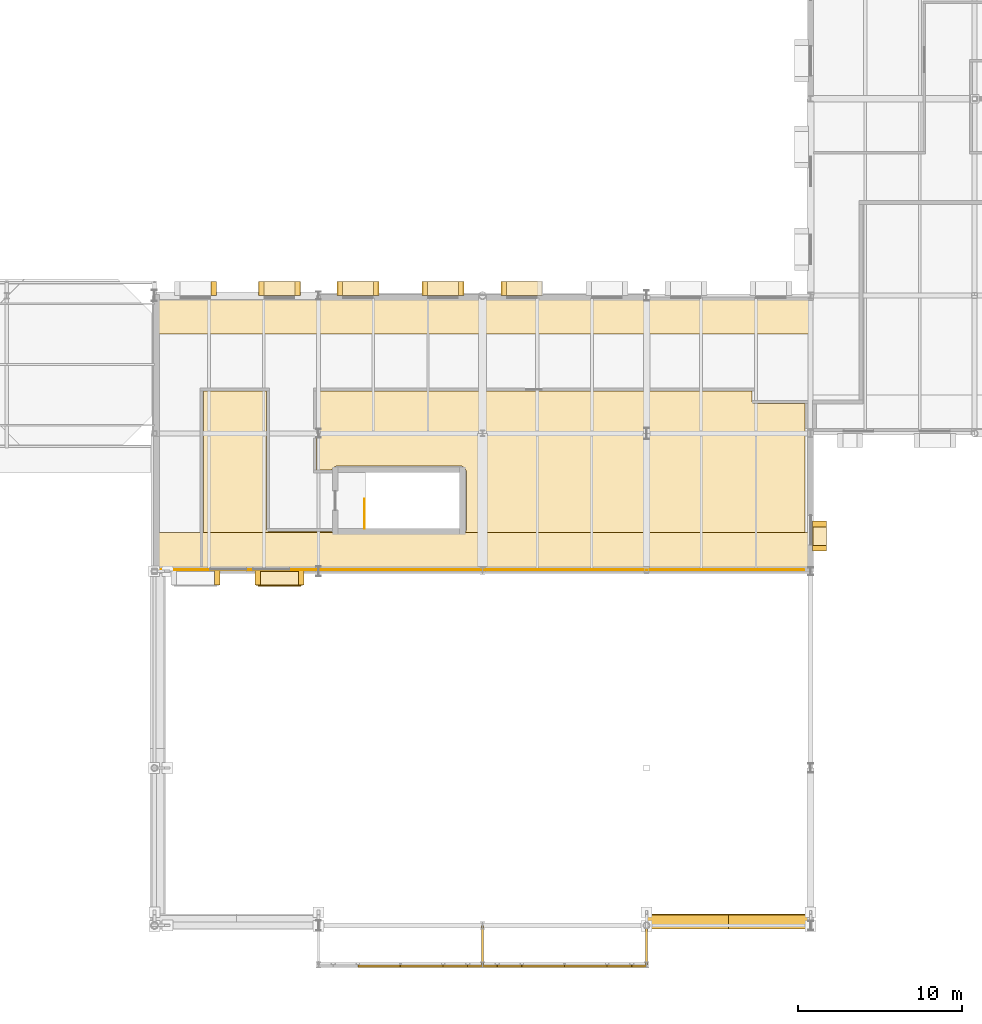
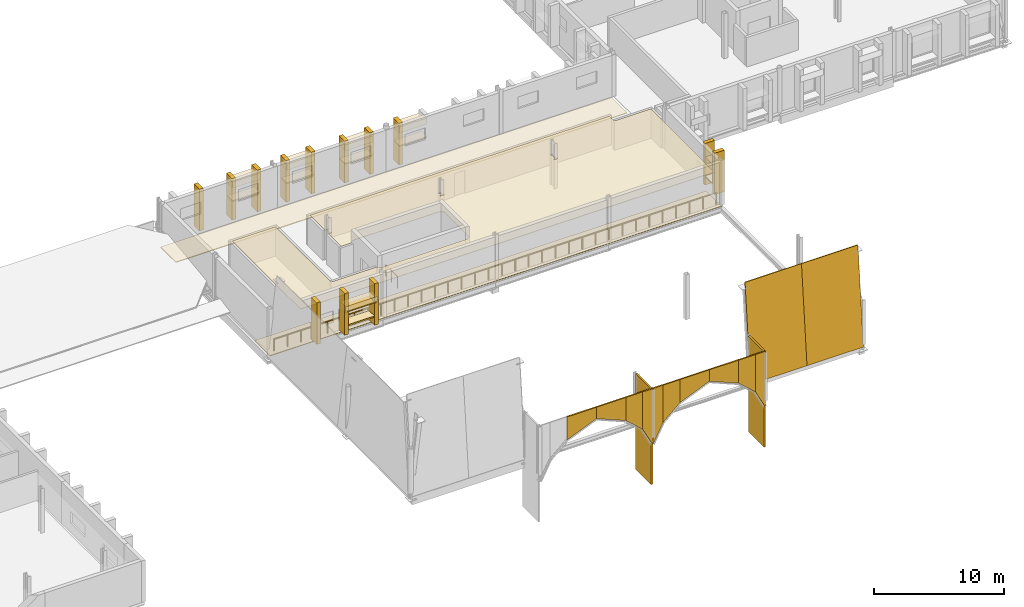
# One storey, part 89 of 90: 42 coverings, 3 railings, 1 shading device.
"""IFC4 building model written with IfcOpenShell, lengths in metres."""

from ifc_helpers import new_model, si_unit, direction, frame, origin, origin_2d, place, context, subcontext, project, spatial, polyline, rectangle, circle, outline, extrude, material, layer, layer_set, type_object, element, save


model = new_model("IFC4")

# Units and contexts
model_context = context("Model", 3, precision=1e-05, world=origin(), true_north=direction((0.0, 1.0)))
body_context = subcontext(model_context, "Body", "Model", "MODEL_VIEW")
ifc_project = project(units=[si_unit("LENGTHUNIT", "METRE"), si_unit("AREAUNIT", "SQUARE_METRE"), si_unit("VOLUMEUNIT", "CUBIC_METRE"), si_unit("PLANEANGLEUNIT", "RADIAN"), si_unit("MASSUNIT", "GRAM", prefix="KILO")], contexts=[model_context])

# Site, building, storey
site_placement = place(None, origin())
site = spatial("IfcSite", under=ifc_project, at=site_placement, CompositionType="ELEMENT")
building_placement = place(site_placement, origin())
building = spatial("IfcBuilding", under=site, at=building_placement, Name="Zereglee Splitstone Museum", CompositionType="ELEMENT")
storey_placement = place(building_placement, frame((0.0, 0.0, 4.800048828125)))
storey = spatial("IfcBuildingStorey", under=building, at=storey_placement, Name="L01", CompositionType="ELEMENT", Elevation=4.800048828125)

# Coverings
ifc_material_1 = material(Name="Perforated acoustic gypsum board ceiling", Category="masonry")
ifc_layer_1 = layer(ifc_material_1, 0.044921875)
ifc_layer_set_1 = layer_set([ifc_layer_1], Name="Perforated acoustic gypsum board ceiling")
covering_type_1 = type_object("IfcCoveringType", Name="CLG-02", PredefinedType="CEILING", material=ifc_layer_set_1)
covering_1_placement = place(storey_placement, frame((0.0, 0.0, 2.71484375)))
element("IfcCovering", 1, at=covering_1_placement, inside=storey, type_object=covering_type_1, Name="Acoustic Ceiling L01-032", PredefinedType="CEILING", context=body_context, shape_type="SweptSolid", body=[
    extrude(outline(polyline([(265.8798828125, 29.717041015625), (266.157958984375, 29.717041015625), (266.157958984375, 29.761962890625), (266.015380859375, 29.761962890625), (266.015380859375, 30.238037109375), (266.157958984375, 30.238037109375), (266.157958984375, 30.282958984375), (265.8798828125, 30.282958984375), (265.8798828125, 32.570068359375), (292.419921875, 32.570068359375), (292.419921875, 32.0), (292.419921875, 31.9990234375), (292.4208984375, 31.9833984375), (292.4208984375, 31.9814453125), (292.42333984375, 31.9658203125), (292.423583984375, 31.9638671875), (292.427490234375, 31.94873046875), (292.427978515625, 31.94677734375), (292.433349609375, 31.931884765625), (292.43408203125, 31.93017578125), (292.44091796875, 31.916015625), (292.441650390625, 31.914306640625), (292.44970703125, 31.90087890625), (292.450927734375, 31.899169921875), (292.460205078125, 31.88671875), (292.46142578125, 31.885009765625), (292.471923828125, 31.873291015625), (292.473388671875, 31.8720703125), (292.485107421875, 31.861572265625), (292.486572265625, 31.8603515625), (292.499267578125, 31.850830078125), (292.500732421875, 31.849853515625), (292.514404296875, 31.841796875), (292.51611328125, 31.8408203125), (292.5302734375, 31.833984375), (292.531982421875, 31.833251953125), (292.546875, 31.828125), (292.548583984375, 31.827392578125), (292.56396484375, 31.82373046875), (292.56591796875, 31.8232421875), (292.581298828125, 31.821044921875), (292.583251953125, 31.82080078125), (292.59912109375, 31.820068359375), (292.60009765625, 31.820068359375), (295.659912109375, 31.820068359375), (295.659912109375, 22.06005859375), (258.97998046875, 22.06005859375), (258.97998046875, 32.570068359375), (262.820068359375, 32.570068359375), (262.820068359375, 24.199951171875), (262.820068359375, 24.198974609375), (262.82080078125, 24.183349609375), (262.821044921875, 24.181396484375), (262.8232421875, 24.166015625), (262.82373046875, 24.163818359375), (262.827392578125, 24.148681640625), (262.828125, 24.146728515625), (262.833251953125, 24.132080078125), (262.833984375, 24.130126953125), (262.8408203125, 24.115966796875), (262.841796875, 24.1142578125), (262.849853515625, 24.100830078125), (262.850830078125, 24.09912109375), (262.8603515625, 24.086669921875), (262.861572265625, 24.085205078125), (262.8720703125, 24.073486328125), (262.873291015625, 24.072021484375), (262.885009765625, 24.0615234375), (262.88671875, 24.060302734375), (262.899169921875, 24.05078125), (262.90087890625, 24.0498046875), (262.914306640625, 24.041748046875), (262.916015625, 24.040771484375), (262.93017578125, 24.0341796875), (262.931884765625, 24.033203125), (262.94677734375, 24.028076171875), (262.94873046875, 24.027587890625), (262.9638671875, 24.023681640625), (262.9658203125, 24.023193359375), (262.9814453125, 24.02099609375), (262.9833984375, 24.020751953125), (262.9990234375, 24.02001953125), (263.0, 24.02001953125), (266.821044921875, 24.02001953125), (266.82958984375, 24.001953125), (266.850830078125, 23.966796875), (266.875244140625, 23.93359375), (266.903076171875, 23.903076171875), (266.93359375, 23.875244140625), (266.966796875, 23.850830078125), (267.001953125, 23.82958984375), (267.039306640625, 23.81201171875), (267.078125, 23.798095703125), (267.1181640625, 23.7880859375), (267.15869140625, 23.781982421875), (267.199951171875, 23.780029296875), (274.60009765625, 23.780029296875), (274.64111328125, 23.781982421875), (274.681884765625, 23.7880859375), (274.721923828125, 23.798095703125), (274.7607421875, 23.81201171875), (274.798095703125, 23.82958984375), (274.833251953125, 23.850830078125), (274.866455078125, 23.875244140625), (274.89697265625, 23.903076171875), (274.9248046875, 23.93359375), (274.94921875, 23.966796875), (274.970458984375, 24.001953125), (274.988037109375, 24.039306640625), (275.001953125, 24.078125), (275.011962890625, 24.1181640625), (275.01806640625, 24.15869140625), (275.02001953125, 24.199951171875), (275.02001953125, 27.60009765625), (275.01806640625, 27.64111328125), (275.011962890625, 27.681884765625), (275.001953125, 27.721923828125), (274.988037109375, 27.7607421875), (274.970458984375, 27.798095703125), (274.94921875, 27.833251953125), (274.9248046875, 27.866455078125), (274.89697265625, 27.89697265625), (274.866455078125, 27.9248046875), (274.833251953125, 27.94921875), (274.798095703125, 27.970458984375), (274.7607421875, 27.988037109375), (274.721923828125, 28.001953125), (274.681884765625, 28.011962890625), (274.64111328125, 28.01806640625), (274.60009765625, 28.02001953125), (267.199951171875, 28.02001953125), (267.15869140625, 28.01806640625), (267.1181640625, 28.011962890625), (267.078125, 28.001953125), (267.039306640625, 27.988037109375), (267.001953125, 27.970458984375), (266.966796875, 27.94921875), (266.93359375, 27.9248046875), (266.903076171875, 27.89697265625), (266.875244140625, 27.866455078125), (266.850830078125, 27.833251953125), (266.82958984375, 27.798095703125), (266.821044921875, 27.780029296875), (265.8798828125, 27.780029296875), (265.8798828125, 29.717041015625)]), holes=[polyline([(286.157958984375, 30.35791015625), (285.842041015625, 30.35791015625), (285.842041015625, 30.31005859375), (285.9833984375, 30.31005859375), (285.9833984375, 29.68994140625), (285.842041015625, 29.68994140625), (285.842041015625, 29.64208984375), (286.157958984375, 29.64208984375), (286.157958984375, 29.68994140625), (286.0166015625, 29.68994140625), (286.0166015625, 30.31005859375), (286.157958984375, 30.31005859375), (286.157958984375, 30.35791015625)]), polyline([(276.157958984375, 30.18798828125), (275.842041015625, 30.18798828125), (275.842041015625, 30.1494140625), (275.985595703125, 30.1494140625), (275.985595703125, 29.8505859375), (275.842041015625, 29.8505859375), (275.842041015625, 29.81201171875), (276.157958984375, 29.81201171875), (276.157958984375, 29.8505859375), (276.014404296875, 29.8505859375), (276.014404296875, 30.1494140625), (276.157958984375, 30.1494140625), (276.157958984375, 30.18798828125)])]), origin(), (0.0, 0.0, 1.0), 0.045166015625),
])
ifc_material_2 = material(Name="Honed Gobi pale limestone stringcourse and soffit cladding", Category="masonry")
ifc_layer_2 = layer(ifc_material_2, 0.070068359375)
ifc_layer_set_2 = layer_set([ifc_layer_2], Name="Honed Gobi pale limestone stringcourse and soffit cladding")
covering_type_2 = type_object("IfcCoveringType", Name="CL-02", PredefinedType="CLADDING", material=ifc_layer_set_2)
covering_2_placement = place(storey_placement, frame((277.2900390625, 38.824951171875, 0.0), z_axis=(0.0, 0.0, 1.0), x_axis=(-1.0, 0.0, 0.0)))
element("IfcCovering", 2, at=covering_2_placement, inside=storey, type_object=covering_type_2, Name="Mughal Window Reveal Stone Pilaster L01-0045R", PredefinedType="CLADDING", context=body_context, shape_type="SweptSolid", body=[
    extrude(rectangle(XDim=0.340087890625, YDim=0.860107421875, at=origin_2d()), origin(), (0.0, 0.0, 1.0), 3.89990234375),
])
covering_3_placement = place(storey_placement, frame((278.409912109375, 38.8349609375, 1.659912109375), z_axis=(0.0, 0.0, 1.0), x_axis=(-1.0, 0.0, 0.0)))
element("IfcCovering", 3, at=covering_3_placement, inside=storey, type_object=covering_type_2, Name="Carved Limestone Window Sill L01-0045", PredefinedType="CLADDING", context=body_context, shape_type="SweptSolid", body=[
    extrude(rectangle(XDim=2.43994140625, YDim=0.840087890625, at=origin_2d()), origin(), (0.0, 0.0, 1.0), 0.1201171875),
])
for number, where, z_axis, x_axis, name in (
    (4, (274.7099609375, 38.824951171875, 0.0), (0.0, 0.0, 1.0), (-1.0, 0.0, 0.0), "Mughal Window Reveal Stone Pilaster L01-0046L"),
    (5, (272.469970703125, 38.824951171875, 0.0), (0.0, 0.0, 1.0), (-1.0, 0.0, 0.0), "Mughal Window Reveal Stone Pilaster L01-0046R"),
):
    element("IfcCovering", number, at=place(storey_placement, frame(where, z_axis=z_axis, x_axis=x_axis)), inside=storey, type_object=covering_type_2, Name=name, PredefinedType="CLADDING", context=body_context, shape_type="SweptSolid", body=[
        extrude(rectangle(XDim=0.340087890625, YDim=0.860107421875, at=origin_2d()), origin(), (0.0, 0.0, 1.0), 3.89990234375),
    ])
covering_4_placement = place(storey_placement, frame((273.590087890625, 38.8349609375, 1.659912109375), z_axis=(0.0, 0.0, 1.0), x_axis=(-1.0, 0.0, 0.0)))
element("IfcCovering", 6, at=covering_4_placement, inside=storey, type_object=covering_type_2, Name="Carved Limestone Window Sill L01-0046", PredefinedType="CLADDING", context=body_context, shape_type="SweptSolid", body=[
    extrude(rectangle(XDim=2.43994140625, YDim=0.840087890625, at=origin_2d()), origin(), (0.0, 0.0, 1.0), 0.1201171875),
])
for number, where, z_axis, x_axis, name in (
    (7, (269.530029296875, 38.824951171875, 0.0), (0.0, 0.0, 1.0), (-1.0, 0.0, 0.0), "Mughal Window Reveal Stone Pilaster L01-0047L"),
    (8, (267.2900390625, 38.824951171875, 0.0), (0.0, 0.0, 1.0), (-1.0, 0.0, 0.0), "Mughal Window Reveal Stone Pilaster L01-0047R"),
):
    element("IfcCovering", number, at=place(storey_placement, frame(where, z_axis=z_axis, x_axis=x_axis)), inside=storey, type_object=covering_type_2, Name=name, PredefinedType="CLADDING", context=body_context, shape_type="SweptSolid", body=[
        extrude(rectangle(XDim=0.340087890625, YDim=0.860107421875, at=origin_2d()), origin(), (0.0, 0.0, 1.0), 3.89990234375),
    ])
covering_5_placement = place(storey_placement, frame((268.409912109375, 38.8349609375, 1.659912109375), z_axis=(0.0, 0.0, 1.0), x_axis=(-1.0, 0.0, 0.0)))
element("IfcCovering", 9, at=covering_5_placement, inside=storey, type_object=covering_type_2, Name="Carved Limestone Window Sill L01-0047", PredefinedType="CLADDING", context=body_context, shape_type="SweptSolid", body=[
    extrude(rectangle(XDim=2.43994140625, YDim=0.840087890625, at=origin_2d()), origin(), (0.0, 0.0, 1.0), 0.1201171875),
])
for number, where, z_axis, x_axis, name in (
    (10, (264.739990234375, 38.824951171875, 0.0), (0.0, 0.0, 1.0), (-1.0, 0.0, 0.0), "Mughal Window Reveal Stone Pilaster L01-0048L"),
    (11, (262.5, 38.824951171875, 0.0), (0.0, 0.0, 1.0), (-1.0, 0.0, 0.0), "Mughal Window Reveal Stone Pilaster L01-0048R"),
):
    element("IfcCovering", number, at=place(storey_placement, frame(where, z_axis=z_axis, x_axis=x_axis)), inside=storey, type_object=covering_type_2, Name=name, PredefinedType="CLADDING", context=body_context, shape_type="SweptSolid", body=[
        extrude(rectangle(XDim=0.340087890625, YDim=0.860107421875, at=origin_2d()), origin(), (0.0, 0.0, 1.0), 3.89990234375),
    ])
covering_6_placement = place(storey_placement, frame((263.6201171875, 38.8349609375, 1.659912109375), z_axis=(0.0, 0.0, 1.0), x_axis=(-1.0, 0.0, 0.0)))
element("IfcCovering", 12, at=covering_6_placement, inside=storey, type_object=covering_type_2, Name="Carved Limestone Window Sill L01-0048", PredefinedType="CLADDING", context=body_context, shape_type="SweptSolid", body=[
    extrude(rectangle(XDim=2.43994140625, YDim=0.840087890625, at=origin_2d()), origin(), (0.0, 0.0, 1.0), 0.1201171875),
])
for number, where, z_axis, x_axis, name in (
    (13, (259.6201171875, 38.824951171875, 0.0), (0.0, 0.0, 1.0), (-1.0, 0.0, 0.0), "Mughal Window Reveal Stone Pilaster L01-0049L"),
    (14, (259.820068359375, 21.175048828125, 0.0), (0.0, 0.0, 1.0), (1.0, 0.0, 0.0), "Mughal Window Reveal Stone Pilaster L01-0050R"),
    (15, (262.300048828125, 21.175048828125, 0.0), (0.0, 0.0, 1.0), (1.0, 0.0, 0.0), "Mughal Window Reveal Stone Pilaster L01-0051L"),
    (16, (264.93994140625, 21.175048828125, 0.0), (0.0, 0.0, 1.0), (1.0, 0.0, 0.0), "Mughal Window Reveal Stone Pilaster L01-0051R"),
):
    element("IfcCovering", number, at=place(storey_placement, frame(where, z_axis=z_axis, x_axis=x_axis)), inside=storey, type_object=covering_type_2, Name=name, PredefinedType="CLADDING", context=body_context, shape_type="SweptSolid", body=[
        extrude(rectangle(XDim=0.340087890625, YDim=0.860107421875, at=origin_2d()), origin(), (0.0, 0.0, 1.0), 3.89990234375),
    ])
covering_7_placement = place(storey_placement, frame((263.6201171875, 21.1650390625, 0.760009765625), z_axis=(0.0, 0.0, 1.0), x_axis=(1.0, 0.0, 0.0)))
element("IfcCovering", 17, at=covering_7_placement, inside=storey, type_object=covering_type_2, Name="Carved Limestone Window Sill L01-0051", PredefinedType="CLADDING", context=body_context, shape_type="SweptSolid", body=[
    extrude(rectangle(XDim=2.840087890625, YDim=0.840087890625, at=origin_2d()), origin(), (0.0, 0.0, 1.0), 0.1201171875),
])
for number, where, z_axis, x_axis, name in (
    (18, (296.544921875, 22.985107421875, 0.0), (0.0, 0.0, 1.0), (0.0, 1.0, 0.0), "Mughal Window Reveal Stone Pilaster L01-0052L"),
    (19, (296.544921875, 24.47509765625, 0.0), (0.0, 0.0, 1.0), (0.0, 1.0, 0.0), "Mughal Window Reveal Stone Pilaster L01-0052R"),
):
    element("IfcCovering", number, at=place(storey_placement, frame(where, z_axis=z_axis, x_axis=x_axis)), inside=storey, type_object=covering_type_2, Name=name, PredefinedType="CLADDING", context=body_context, shape_type="SweptSolid", body=[
        extrude(rectangle(XDim=0.340087890625, YDim=0.860107421875, at=origin_2d()), origin(), (0.0, 0.0, 1.0), 3.89990234375),
    ])
covering_8_placement = place(storey_placement, frame((296.554931640625, 23.72998046875, 0.760009765625), z_axis=(0.0, 0.0, 1.0), x_axis=(0.0, 1.0, 0.0)))
element("IfcCovering", 20, at=covering_8_placement, inside=storey, type_object=covering_type_2, Name="Carved Limestone Window Sill L01-0052", PredefinedType="CLADDING", context=body_context, shape_type="SweptSolid", body=[
    extrude(rectangle(XDim=1.68994140625, YDim=0.840087890625, at=origin_2d()), origin(), (0.0, 0.0, 1.0), 0.1201171875),
])
covering_9_placement = place(storey_placement, frame((0.0, 0.0, -0.35009765625)))
element("IfcCovering", 21, at=covering_9_placement, inside=storey, type_object=covering_type_2, Name="Hovering Stone Plinth Soffit Apron 011", PredefinedType="CLADDING", context=body_context, shape_type="SweptSolid", body=[
    extrude(outline(polyline([(256.0, 21.60009765625), (296.0, 21.60009765625), (296.0, 23.949951171875), (256.0, 23.949951171875), (256.0, 21.60009765625)])), origin(), (0.0, 0.0, 1.0), 0.070068359375),
])
covering_10_placement = place(storey_placement, frame((0.0, 0.0, -0.35009765625)))
element("IfcCovering", 22, at=covering_10_placement, inside=storey, type_object=covering_type_2, Name="Hovering Stone Plinth Soffit Apron 012", PredefinedType="CLADDING", context=body_context, shape_type="SweptSolid", body=[
    extrude(outline(polyline([(256.0, 36.050048828125), (296.0, 36.050048828125), (296.0, 38.39990234375), (256.0, 38.39990234375), (256.0, 36.050048828125)])), origin(), (0.0, 0.0, 1.0), 0.070068359375),
])
covering_11_placement = place(storey_placement, frame((0.0, 0.0, -4.800048828125)))
element("IfcCovering", 23, at=covering_11_placement, inside=storey, type_object=covering_type_2, Name="Mughal Iwan Stone Cheek Return PSQ-SV5-1", PredefinedType="CLADDING", context=body_context, shape_type="SweptSolid", body=[
    extrude(outline(polyline([(275.929931640625, -2.39990234375), (276.070068359375, -2.39990234375), (276.070068359375, 0.0), (275.929931640625, 0.0), (275.929931640625, -2.39990234375)])), origin(), (0.0, 0.0, 1.0), 8.97998046875),
])
covering_12_placement = place(storey_placement, frame((0.0, 0.0, -4.800048828125)))
element("IfcCovering", 24, at=covering_12_placement, inside=storey, type_object=covering_type_2, Name="Mughal Iwan Stone Cheek Return PSQ-SV5-2", PredefinedType="CLADDING", context=body_context, shape_type="SweptSolid", body=[
    extrude(outline(polyline([(285.929931640625, -2.39990234375), (286.070068359375, -2.39990234375), (286.070068359375, 0.0), (285.929931640625, 0.0), (285.929931640625, -2.39990234375)])), origin(), (0.0, 0.0, 1.0), 8.97998046875),
])
ifc_material_3 = material(Name="Honed Khoroo red sandstone ventilated rainscreen", Category="masonry")
ifc_layer_3 = layer(ifc_material_3, 0.080078125)
ifc_layer_set_3 = layer_set([ifc_layer_3], Name="Honed Khoroo red sandstone ventilated rainscreen")
covering_type_3 = type_object("IfcCoveringType", Name="CL-01", PredefinedType="CLADDING", material=ifc_layer_set_3)
for number, where, z_axis, x_axis, name in (
    (25, (278.409912109375, 38.8349609375, 2.9599609375), (0.0, 0.0, 1.0), (-1.0, 0.0, 0.0), "Pointed-Arch Mughal Window Hood L01-0045"),
    (26, (273.590087890625, 38.8349609375, 2.9599609375), (0.0, 0.0, 1.0), (-1.0, 0.0, 0.0), "Pointed-Arch Mughal Window Hood L01-0046"),
    (27, (268.409912109375, 38.8349609375, 2.9599609375), (0.0, 0.0, 1.0), (-1.0, 0.0, 0.0), "Pointed-Arch Mughal Window Hood L01-0047"),
    (28, (263.6201171875, 38.8349609375, 2.9599609375), (0.0, 0.0, 1.0), (-1.0, 0.0, 0.0), "Pointed-Arch Mughal Window Hood L01-0048"),
):
    element("IfcCovering", number, at=place(storey_placement, frame(where, z_axis=z_axis, x_axis=x_axis)), inside=storey, type_object=covering_type_3, Name=name, PredefinedType="CLADDING", context=body_context, shape_type="SweptSolid", body=[
        extrude(rectangle(XDim=2.43994140625, YDim=0.860107421875, at=origin_2d()), origin(), (0.0, 0.0, 1.0), 0.580078125),
    ])
covering_13_placement = place(storey_placement, frame((263.6201171875, 21.1650390625, 2.059814453125), z_axis=(0.0, 0.0, 1.0), x_axis=(1.0, 0.0, 0.0)))
element("IfcCovering", 29, at=covering_13_placement, inside=storey, type_object=covering_type_3, Name="Pointed-Arch Mughal Window Hood L01-0051", PredefinedType="CLADDING", context=body_context, shape_type="SweptSolid", body=[
    extrude(rectangle(XDim=2.840087890625, YDim=0.860107421875, at=origin_2d()), origin(), (0.0, 0.0, 1.0), 0.580078125),
])
covering_14_placement = place(storey_placement, frame((296.554931640625, 23.72998046875, 2.059814453125), z_axis=(0.0, 0.0, 1.0), x_axis=(0.0, 1.0, 0.0)))
element("IfcCovering", 30, at=covering_14_placement, inside=storey, type_object=covering_type_3, Name="Pointed-Arch Mughal Window Hood L01-0052", PredefinedType="CLADDING", context=body_context, shape_type="SweptSolid", body=[
    extrude(rectangle(XDim=1.68994140625, YDim=0.860107421875, at=origin_2d()), origin(), (0.0, 0.0, 1.0), 0.580078125),
])
for number, where, z_axis, x_axis, name in (
    (31, (286.0, -0.219970703125, -0.25), (0.0, -0.995619783863, 0.09349463076), (1.0, 0.0, 0.0), "Split-Rock Continuous Inclined Facet FH-V5SE L01.1"),
    (32, (291.0, -0.219970703125, -0.25), (0.0, -0.995619783863, 0.09349463076), (1.0, 0.0, 0.0), "Split-Rock Continuous Inclined Facet FH-V5SE L01.2"),
):
    element("IfcCovering", number, at=place(storey_placement, frame(where, z_axis=z_axis, x_axis=x_axis)), inside=storey, type_object=covering_type_3, Name=name, PredefinedType="CLADDING", context=body_context, shape_type="SweptSolid", body=[
        extrude(outline(polyline([(0.0, 0.0), (5.0, 0.0), (5.0, 9.08986439884924), (0.0, 9.08986439884924), (0.0, 0.0)])), origin(), (0.0, 0.0, -1.0), 0.080078125),
    ])
covering_15_placement = place(storey_placement, frame((268.39990234375, -2.5400390625, 2.10791015625), z_axis=(0.0, -1.0, 0.0), x_axis=(0.921982105607, 0.0, 0.387232484355)))
element("IfcCovering", 33, at=covering_15_placement, inside=storey, type_object=covering_type_3, Name="Mughal Pishtaq Pointed-Arch Stone Voussoir PSQ-SV5-1-3", PredefinedType="CLADDING", context=body_context, shape_type="SweptSolid", body=[
    extrude(outline(polyline([(0.0, 0.0), (2.8201172673922668, 0.0), (3.2344824966228254, 0.9865838791203771), (0.8372389847286847, 1.9934261541159162), (0.0, 0.0)])), origin(), (0.0, 0.0, -1.0), 0.1201171875),
])
covering_16_placement = place(storey_placement, frame((271.0, -2.5400390625, 3.199951171875), z_axis=(0.0, -1.0, 0.0), x_axis=(0.921982105607, 0.0, -0.387232484355)))
element("IfcCovering", 34, at=covering_16_placement, inside=storey, type_object=covering_type_3, Name="Mughal Pishtaq Pointed-Arch Stone Voussoir PSQ-SV5-1-4", PredefinedType="CLADDING", context=body_context, shape_type="SweptSolid", body=[
    extrude(outline(polyline([(0.0, 0.0), (2.8201172673922668, 0.0), (1.982878282663582, 1.9934261541159162), (-0.4143652292305584, 0.9865838791203771), (0.0, 0.0)])), origin(), (0.0, 0.0, -1.0), 0.1201171875),
])
covering_17_placement = place(storey_placement, frame((273.60009765625, -2.5400390625, 2.10791015625), z_axis=(0.0, -1.0, 0.0), x_axis=(0.744775087592, 0.0, -0.667315569205)))
element("IfcCovering", 35, at=covering_17_placement, inside=storey, type_object=covering_type_3, Name="Mughal Pishtaq Pointed-Arch Stone Voussoir PSQ-SV5-1-5", PredefinedType="CLADDING", context=body_context, shape_type="SweptSolid", body=[
    extrude(outline(polyline([(0.0, 0.0), (2.0140308463462846, 0.0), (-0.3256466168729246, 2.611258552955281), (-1.4428092482605193, 1.6102851991485252), (0.0, 0.0)])), origin(), (0.0, 0.0, -1.0), 0.1201171875),
])
covering_18_placement = place(storey_placement, frame((275.10009765625, -2.5400390625, 0.763916015625), z_axis=(0.0, -1.0, 0.0), x_axis=(0.454448380704, 0.0, -0.890773073951)))
element("IfcCovering", 36, at=covering_18_placement, inside=storey, type_object=covering_type_3, Name="Mughal Pishtaq Pointed-Arch Stone Voussoir PSQ-SV5-1-6", PredefinedType="CLADDING", context=body_context, shape_type="SweptSolid", body=[
    extrude(outline(polyline([(0.0, 0.0), (1.9802080543380078, 0.0), (-2.714183443294841, 2.394951842252551), (-3.1231426062033423, 1.5933430652547431), (0.0, 0.0)])), origin(), (0.0, 0.0, -1.0), 0.1201171875),
])
covering_19_placement = place(storey_placement, frame((276.0, -2.5400390625, -1.0), z_axis=(0.0, -1.0, 0.0), x_axis=(0.454448380704, 0.0, 0.890773073951)))
element("IfcCovering", 37, at=covering_19_placement, inside=storey, type_object=covering_type_3, Name="Mughal Pishtaq Pointed-Arch Stone Voussoir PSQ-SV5-2-1", PredefinedType="CLADDING", context=body_context, shape_type="SweptSolid", body=[
    extrude(outline(polyline([(0.0, 0.0), (1.9802080543380078, 0.0), (5.10335066054135, 1.5933430652547433), (4.694391497632849, 2.394951842252551), (0.0, 0.0)])), origin(), (0.0, 0.0, -1.0), 0.1201171875),
])
covering_20_placement = place(storey_placement, frame((276.89990234375, -2.5400390625, 0.763916015625), z_axis=(0.0, -1.0, 0.0), x_axis=(0.744775087592, 0.0, 0.667315569205)))
element("IfcCovering", 38, at=covering_20_placement, inside=storey, type_object=covering_type_3, Name="Mughal Pishtaq Pointed-Arch Stone Voussoir PSQ-SV5-2-2", PredefinedType="CLADDING", context=body_context, shape_type="SweptSolid", body=[
    extrude(outline(polyline([(0.0, 0.0), (2.0140308463462846, 0.0), (3.456840094606804, 1.6102851991485254), (2.339677463219209, 2.6112585529552814), (0.0, 0.0)])), origin(), (0.0, 0.0, -1.0), 0.1201171875),
])
covering_21_placement = place(storey_placement, frame((278.39990234375, -2.5400390625, 2.10791015625), z_axis=(0.0, -1.0, 0.0), x_axis=(0.921982105607, 0.0, 0.387232484355)))
element("IfcCovering", 39, at=covering_21_placement, inside=storey, type_object=covering_type_3, Name="Mughal Pishtaq Pointed-Arch Stone Voussoir PSQ-SV5-2-3", PredefinedType="CLADDING", context=body_context, shape_type="SweptSolid", body=[
    extrude(outline(polyline([(0.0, 0.0), (2.8201172673922668, 0.0), (3.2344824966228254, 0.9865838791203771), (0.8372389847286847, 1.9934261541159162), (0.0, 0.0)])), origin(), (0.0, 0.0, -1.0), 0.1201171875),
])
covering_22_placement = place(storey_placement, frame((281.0, -2.5400390625, 3.199951171875), z_axis=(0.0, -1.0, 0.0), x_axis=(0.921982105607, 0.0, -0.387232484355)))
element("IfcCovering", 40, at=covering_22_placement, inside=storey, type_object=covering_type_3, Name="Mughal Pishtaq Pointed-Arch Stone Voussoir PSQ-SV5-2-4", PredefinedType="CLADDING", context=body_context, shape_type="SweptSolid", body=[
    extrude(outline(polyline([(0.0, 0.0), (2.8201172673922668, 0.0), (1.982878282663582, 1.9934261541159162), (-0.4143652292305584, 0.9865838791203771), (0.0, 0.0)])), origin(), (0.0, 0.0, -1.0), 0.1201171875),
])
covering_23_placement = place(storey_placement, frame((283.60009765625, -2.5400390625, 2.10791015625), z_axis=(0.0, -1.0, 0.0), x_axis=(0.744775087592, 0.0, -0.667315569205)))
element("IfcCovering", 41, at=covering_23_placement, inside=storey, type_object=covering_type_3, Name="Mughal Pishtaq Pointed-Arch Stone Voussoir PSQ-SV5-2-5", PredefinedType="CLADDING", context=body_context, shape_type="SweptSolid", body=[
    extrude(outline(polyline([(0.0, 0.0), (2.0140308463462846, 0.0), (-0.3256466168729246, 2.611258552955281), (-1.4428092482605193, 1.6102851991485252), (0.0, 0.0)])), origin(), (0.0, 0.0, -1.0), 0.1201171875),
])
covering_24_placement = place(storey_placement, frame((285.10009765625, -2.5400390625, 0.763916015625), z_axis=(0.0, -1.0, 0.0), x_axis=(0.454448380704, 0.0, -0.890773073951)))
element("IfcCovering", 42, at=covering_24_placement, inside=storey, type_object=covering_type_3, Name="Mughal Pishtaq Pointed-Arch Stone Voussoir PSQ-SV5-2-6", PredefinedType="CLADDING", context=body_context, shape_type="SweptSolid", body=[
    extrude(outline(polyline([(0.0, 0.0), (1.9802080543380078, 0.0), (-2.714183443294841, 2.394951842252551), (-3.1231426062033423, 1.5933430652547431), (0.0, 0.0)])), origin(), (0.0, 0.0, -1.0), 0.1201171875),
])

# Railings
ifc_material_4 = material(Name="Glazed laminated glass and bronze balustrade", Category="glass")
railing_type_1 = type_object("IfcRailingType", Name="GR-02", PredefinedType="BALUSTRADE", material=ifc_material_4)
railing_1_placement = place(storey_placement, frame((256.39990234375, 21.679931640625, 0.0)))
element("IfcRailing", 43, at=railing_1_placement, inside=storey, type_object=railing_type_1, Name="Auditorium Upper Foyer Overlook Balustrade", PredefinedType="BALUSTRADE", context=body_context, shape_type="SweptSolid", body=[
    extrude(circle(Radius=0.02392578125, at=origin_2d()), frame((0.0, 0.0, 1.076416015625), z_axis=(1.0, 0.0, 0.0), x_axis=(0.0, 1.0, 0.0)), (0.0, 0.0, 1.0), 39.2001953125),
    extrude(circle(Radius=0.02099609375, at=origin_2d()), origin(), (0.0, 0.0, 1.0), 1.052001953125),
    extrude(circle(Radius=0.02099609375, at=origin_2d()), frame((1.18798828125, 0.0, 0.0)), (0.0, 0.0, 1.0), 1.052001953125),
    extrude(circle(Radius=0.02099609375, at=origin_2d()), frame((2.375732421875, 0.0, 0.0)), (0.0, 0.0, 1.0), 1.052001953125),
    extrude(circle(Radius=0.02099609375, at=origin_2d()), frame((3.563720703125, 0.0, 0.0)), (0.0, 0.0, 1.0), 1.052001953125),
    extrude(circle(Radius=0.02099609375, at=origin_2d()), frame((4.75146484375, 0.0, 0.0)), (0.0, 0.0, 1.0), 1.052001953125),
    extrude(circle(Radius=0.02099609375, at=origin_2d()), frame((5.939453125, 0.0, 0.0)), (0.0, 0.0, 1.0), 1.052001953125),
    extrude(circle(Radius=0.02099609375, at=origin_2d()), frame((7.127197265625, 0.0, 0.0)), (0.0, 0.0, 1.0), 1.052001953125),
    extrude(circle(Radius=0.02099609375, at=origin_2d()), frame((8.315185546875, 0.0, 0.0)), (0.0, 0.0, 1.0), 1.052001953125),
    extrude(circle(Radius=0.02099609375, at=origin_2d()), frame((9.503173828125, 0.0, 0.0)), (0.0, 0.0, 1.0), 1.052001953125),
    extrude(circle(Radius=0.02099609375, at=origin_2d()), frame((10.69091796875, 0.0, 0.0)), (0.0, 0.0, 1.0), 1.052001953125),
    extrude(circle(Radius=0.02099609375, at=origin_2d()), frame((11.87890625, 0.0, 0.0)), (0.0, 0.0, 1.0), 1.052001953125),
    extrude(circle(Radius=0.02099609375, at=origin_2d()), frame((13.066650390625, 0.0, 0.0)), (0.0, 0.0, 1.0), 1.052001953125),
    extrude(circle(Radius=0.02099609375, at=origin_2d()), frame((14.254638671875, 0.0, 0.0)), (0.0, 0.0, 1.0), 1.052001953125),
    extrude(circle(Radius=0.02099609375, at=origin_2d()), frame((15.4423828125, 0.0, 0.0)), (0.0, 0.0, 1.0), 1.052001953125),
    extrude(circle(Radius=0.02099609375, at=origin_2d()), frame((16.63037109375, 0.0, 0.0)), (0.0, 0.0, 1.0), 1.052001953125),
    extrude(circle(Radius=0.02099609375, at=origin_2d()), frame((17.818359375, 0.0, 0.0)), (0.0, 0.0, 1.0), 1.052001953125),
    extrude(circle(Radius=0.02099609375, at=origin_2d()), frame((19.006103515625, 0.0, 0.0)), (0.0, 0.0, 1.0), 1.052001953125),
    extrude(circle(Radius=0.02099609375, at=origin_2d()), frame((20.194091796875, 0.0, 0.0)), (0.0, 0.0, 1.0), 1.052001953125),
    extrude(circle(Radius=0.02099609375, at=origin_2d()), frame((21.3818359375, 0.0, 0.0)), (0.0, 0.0, 1.0), 1.052001953125),
    extrude(circle(Radius=0.02099609375, at=origin_2d()), frame((22.56982421875, 0.0, 0.0)), (0.0, 0.0, 1.0), 1.052001953125),
    extrude(circle(Radius=0.02099609375, at=origin_2d()), frame((23.7578125, 0.0, 0.0)), (0.0, 0.0, 1.0), 1.052001953125),
    extrude(circle(Radius=0.02099609375, at=origin_2d()), frame((24.945556640625, 0.0, 0.0)), (0.0, 0.0, 1.0), 1.052001953125),
    extrude(circle(Radius=0.02099609375, at=origin_2d()), frame((26.133544921875, 0.0, 0.0)), (0.0, 0.0, 1.0), 1.052001953125),
    extrude(circle(Radius=0.02099609375, at=origin_2d()), frame((27.3212890625, 0.0, 0.0)), (0.0, 0.0, 1.0), 1.052001953125),
    extrude(circle(Radius=0.02099609375, at=origin_2d()), frame((28.50927734375, 0.0, 0.0)), (0.0, 0.0, 1.0), 1.052001953125),
    extrude(circle(Radius=0.02099609375, at=origin_2d()), frame((29.697021484375, 0.0, 0.0)), (0.0, 0.0, 1.0), 1.052001953125),
    extrude(circle(Radius=0.02099609375, at=origin_2d()), frame((30.885009765625, 0.0, 0.0)), (0.0, 0.0, 1.0), 1.052001953125),
    extrude(circle(Radius=0.02099609375, at=origin_2d()), frame((32.072998046875, 0.0, 0.0)), (0.0, 0.0, 1.0), 1.052001953125),
    extrude(circle(Radius=0.02099609375, at=origin_2d()), frame((33.2607421875, 0.0, 0.0)), (0.0, 0.0, 1.0), 1.052001953125),
    extrude(circle(Radius=0.02099609375, at=origin_2d()), frame((34.44873046875, 0.0, 0.0)), (0.0, 0.0, 1.0), 1.052001953125),
    extrude(circle(Radius=0.02099609375, at=origin_2d()), frame((35.636474609375, 0.0, 0.0)), (0.0, 0.0, 1.0), 1.052001953125),
    extrude(circle(Radius=0.02099609375, at=origin_2d()), frame((36.824462890625, 0.0, 0.0)), (0.0, 0.0, 1.0), 1.052001953125),
    extrude(circle(Radius=0.02099609375, at=origin_2d()), frame((38.01220703125, 0.0, 0.0)), (0.0, 0.0, 1.0), 1.052001953125),
    extrude(circle(Radius=0.02099609375, at=origin_2d()), frame((39.2001953125, 0.0, 0.0)), (0.0, 0.0, 1.0), 1.052001953125),
])
ifc_material_5 = material(Name="Painted steel S355J2 post-and-baluster guard", Category="steel")
railing_type_2 = type_object("IfcRailingType", Name="GR-03", PredefinedType="BALUSTRADE", material=ifc_material_5)
railing_2_placement = place(storey_placement, frame((268.800048828125, 24.199951171875, 0.0)))
element("IfcRailing", 44, at=railing_2_placement, inside=storey, type_object=railing_type_2, Name="L01 ST-05 top well guard 1", PredefinedType="BALUSTRADE", context=body_context, shape_type="SweptSolid", body=[
    extrude(circle(Radius=0.02392578125, at=origin_2d()), frame((0.0, 0.0, 1.076416015625), z_axis=(0.0, 1.0, 0.0), x_axis=(-1.0, 0.0, 0.0)), (0.0, 0.0, 1.0), 1.800048828125),
    extrude(circle(Radius=0.02099609375, at=origin_2d()), origin(), (0.0, 0.0, 1.0), 1.052001953125),
    extrude(circle(Radius=0.02099609375, at=origin_2d()), frame((0.0, 0.89990234375, 0.0)), (0.0, 0.0, 1.0), 1.052001953125),
    extrude(circle(Radius=0.02099609375, at=origin_2d()), frame((0.0, 1.800048828125, 0.0)), (0.0, 0.0, 1.0), 1.052001953125),
])
railing_3_placement = place(storey_placement, frame((268.81005859375, 24.219970703125, 0.0)))
element("IfcRailing", 45, at=railing_3_placement, inside=storey, type_object=railing_type_2, Name="Stair Top-Floor Well Guard ST-05", PredefinedType="BALUSTRADE", context=body_context, shape_type="SweptSolid", body=[
    extrude(circle(Radius=0.02392578125, at=origin_2d()), frame((0.0, 0.0, 1.076416015625), z_axis=(0.0, 1.0, 0.0), x_axis=(-1.0, 0.0, 0.0)), (0.0, 0.0, 1.0), 1.780029296875),
    extrude(circle(Radius=0.02099609375, at=origin_2d()), origin(), (0.0, 0.0, 1.0), 1.052001953125),
    extrude(circle(Radius=0.02099609375, at=origin_2d()), frame((0.0, 0.89013671875, 0.0)), (0.0, 0.0, 1.0), 1.052001953125),
    extrude(circle(Radius=0.02099609375, at=origin_2d()), frame((0.0, 1.780029296875, 0.0)), (0.0, 0.0, 1.0), 1.052001953125),
])

# Shading device
ifc_material_6 = material(Name="Anodised bronze extruded aluminium chhajja brise-soleil", Category="aluminium")
ifc_layer_4 = layer(ifc_material_6, 0.080078125)
ifc_layer_set_4 = layer_set([ifc_layer_4], Name="Anodised bronze extruded aluminium chhajja brise-soleil")
shading_device_type = type_object("IfcShadingDeviceType", Name="SH-01", PredefinedType="SHUTTER", material=ifc_layer_set_4)
shading_device_placement = place(storey_placement, frame((263.6201171875, 21.1650390625, 2.139892578125), z_axis=(0.0, 0.0, 1.0), x_axis=(1.0, 0.0, 0.0)))
element("IfcShadingDevice", 46, at=shading_device_placement, inside=storey, type_object=shading_device_type, Name="Chhajja Window Brise-Soleil 24", PredefinedType="SHUTTER", context=body_context, shape_type="SweptSolid", body=[
    extrude(rectangle(XDim=2.60009765625, YDim=0.97998046875, at=origin_2d()), origin(), (0.0, 0.0, 1.0), 0.080078125),
])

save(model, "model.ifc")
